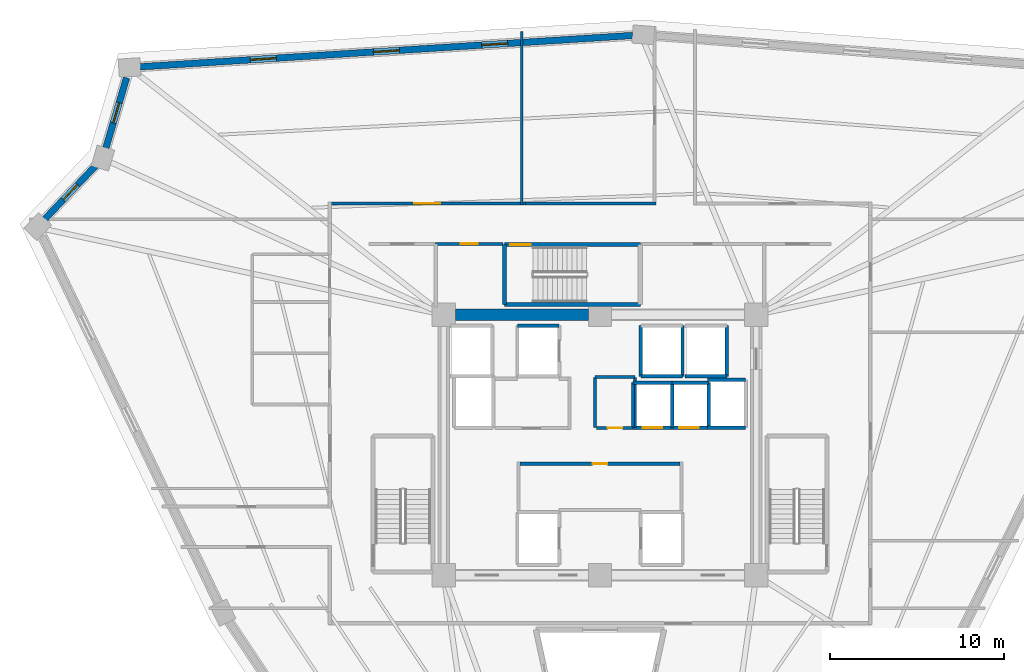
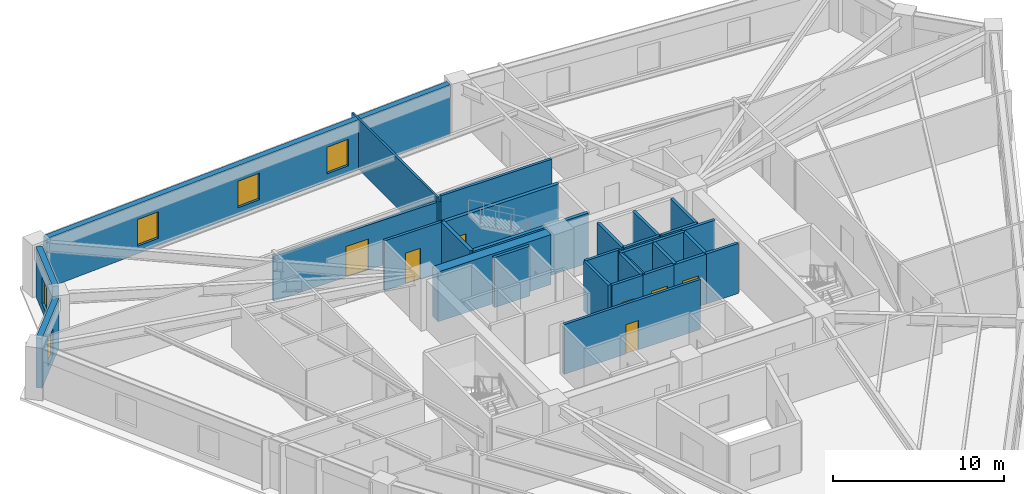
# One storey, part 5 of 8: 31 walls, 7 doors, 5 windows, 12 openings.
"""IFC4 building model written with IfcOpenShell, lengths in metres."""

from ifc_helpers import new_model, si_unit, direction, frame, frame_2d, origin, place, context, subcontext, project, spatial, rectangle, extrude, source, transform, mapped, material, layer, layer_set, type_object, element, fill, save


model = new_model("IFC4")

# Units and contexts
model_context = context("Model", 3, precision=1e-05, world=origin(), true_north=direction((0.0, 1.0)))
body_context = subcontext(model_context, "Body", "Model", "MODEL_VIEW")
ifc_project = project(units=[si_unit("LENGTHUNIT", "METRE"), si_unit("AREAUNIT", "SQUARE_METRE"), si_unit("VOLUMEUNIT", "CUBIC_METRE"), si_unit("PLANEANGLEUNIT", "RADIAN"), si_unit("MASSUNIT", "GRAM", prefix="KILO")], contexts=[model_context])

# Site, building, storey
site_placement = place(None, origin())
site = spatial("IfcSite", under=ifc_project, at=site_placement, CompositionType="ELEMENT")
building_placement = place(site_placement, origin())
building = spatial("IfcBuilding", under=site, at=building_placement, Name="Liaohun Quay Tower", CompositionType="ELEMENT")
storey_placement = place(building_placement, frame((0.0, 0.0, 243.75)))
storey = spatial("IfcBuildingStorey", under=building, at=storey_placement, Name="L63", CompositionType="ELEMENT", Elevation=243.75)

# Wall
ifc_material_1 = material(Name="Concrete C55", Category="concrete")
ifc_layer_1 = layer(ifc_material_1, 0.64990234375, Name="Concrete C55", Category="concrete")
ifc_layer_set_1 = layer_set([ifc_layer_1], Name="Concrete C55")
wall_type_1 = type_object("IfcWallType", Name="WAL-COR-Z3", PredefinedType="SHEAR", material=ifc_layer_set_1)
wall_1_placement = place(storey_placement, frame((51.675048828125, 61.5, 0.0), z_axis=(0.0, 0.0, 1.0), x_axis=(1.0, 0.0, 0.0)))
element("IfcWall", 1, at=wall_1_placement, inside=storey, type_object=wall_type_1, Name="L63 Central Core Shear Wall N-W", PredefinedType="SHEAR", context=body_context, shape_type="SweptSolid", body=[
    extrude(rectangle(XDim=7.64990234375, YDim=0.64990234375, at=frame_2d((3.824951171875, 0.0))), origin(), (0.0, 0.0, 1.0), 3.570068359375),
])

# Wall, openings, windows
ifc_material_2 = material(Name="Precast concrete C50 insulated sandwich", Category="concrete")
ifc_layer_2 = layer(ifc_material_2, 0.3798828125, Name="Precast concrete C50 insulated sandwich", Category="concrete")
ifc_layer_set_2 = layer_set([ifc_layer_2], Name="Precast concrete C50 insulated sandwich")
wall_type_2 = type_object("IfcWallType", Name="WAL-EXT-Z34", PredefinedType="SOLIDWALL", material=ifc_layer_set_2)
wall_2_placement = place(storey_placement, frame((61.876953125, 77.5810546875, 0.0), z_axis=(0.0, 0.0, 1.0), x_axis=(-0.997981063215, -0.063512183593, 0.0)))
wall_2 = element("IfcWall", 2, at=wall_2_placement, inside=storey, type_object=wall_type_2, Name="L63 Brutalist Precast Pier Wall 07", PredefinedType="SOLIDWALL", context=body_context, shape_type="SweptSolid", body=[
    extrude(rectangle(XDim=28.4033203125, YDim=0.3798828125, at=frame_2d((14.20166015625, 0.0))), origin(), (0.0, 0.0, 1.0), 3.570068359375),
])
shared_shape_1 = source(origin(), body_context, "Body", "SweptSolid", [
    extrude(rectangle(XDim=1.5, YDim=1.89990234375, at=frame_2d((0.75, 0.949951171875))), frame((0.0, 0.199951171875, 0.0), z_axis=(0.0, -1.0, 0.0), x_axis=(1.0, 0.0, 0.0)), (0.0, 0.0, 1.0), 0.39990234375),
])
opening_1_placement = place(wall_2_placement, frame((7.200927734375, 0.0, 0.550048828125)))
opening_1 = element("IfcOpeningElement", 3, at=opening_1_placement, cuts=wall_2, Name="Opening W03", PredefinedType="OPENING", context=body_context, shape_type="MappedRepresentation", body=[
    mapped(shared_shape_1, transform((0.0, 0.0, 0.0), x_axis=(1.0, 0.0, 0.0), y_axis=(0.0, 1.0, 0.0), z_axis=(0.0, 0.0, 1.0), scale=1.0)),
])
opening_2_placement = place(wall_2_placement, frame((13.451904296875, 0.0, 0.550048828125)))
opening_2 = element("IfcOpeningElement", 4, at=opening_2_placement, cuts=wall_2, Name="Opening W03", PredefinedType="OPENING", context=body_context, shape_type="MappedRepresentation", body=[
    mapped(shared_shape_1, transform((0.0, 0.0, 0.0), x_axis=(1.0, 0.0, 0.0), y_axis=(0.0, 1.0, 0.0), z_axis=(0.0, 0.0, 1.0), scale=1.0)),
])
opening_3_placement = place(wall_2_placement, frame((20.552978515625, 0.0, 0.550048828125)))
opening_3 = element("IfcOpeningElement", 5, at=opening_3_placement, cuts=wall_2, Name="Opening W03", PredefinedType="OPENING", context=body_context, shape_type="MappedRepresentation", body=[
    mapped(shared_shape_1, transform((0.0, 0.0, 0.0), x_axis=(1.0, 0.0, 0.0), y_axis=(0.0, 1.0, 0.0), z_axis=(0.0, 0.0, 1.0), scale=1.0)),
])
ifc_material_3 = material(Name="Triple Low-E argon glazing in thermally broken aluminium", Category="aluminium")
window_type_1 = type_object("IfcWindowType", Name="WIN-PUN-Z3", PartitioningType="DOUBLE_PANEL_VERTICAL", PredefinedType="WINDOW", material=ifc_material_3)
shared_shape_2 = source(origin(), body_context, "Body", "SweptSolid", [
    extrude(rectangle(XDim=1.5, YDim=1.89990234375, at=frame_2d((0.75, 0.949951171875))), frame((0.0, 0.030029296875, 0.0), z_axis=(0.0, -1.0, 0.0), x_axis=(1.0, 0.0, 0.0)), (0.0, 0.0, 1.0), 0.06005859375),
])
window_1_placement = place(opening_1_placement, origin())
window_1 = element("IfcWindow", 6, at=window_1_placement, inside=storey, type_object=window_type_1, Name="L63 Recessed Cold-Climate Punched Window 07-1", OverallHeight=1.89990234375, OverallWidth=1.5, PartitioningType="DOUBLE_PANEL_VERTICAL", PredefinedType="WINDOW", context=body_context, shape_type="MappedRepresentation", body=[
    mapped(shared_shape_2, transform((0.0, 0.0, 0.0), x_axis=(1.0, 0.0, 0.0), y_axis=(0.0, 1.0, 0.0), z_axis=(0.0, 0.0, 1.0), scale=1.0)),
])
fill(opening_1, window_1)
window_2_placement = place(opening_2_placement, origin())
window_2 = element("IfcWindow", 7, at=window_2_placement, inside=storey, type_object=window_type_1, Name="L63 Recessed Cold-Climate Punched Window 07-2", OverallHeight=1.89990234375, OverallWidth=1.5, PartitioningType="DOUBLE_PANEL_VERTICAL", PredefinedType="WINDOW", context=body_context, shape_type="MappedRepresentation", body=[
    mapped(shared_shape_2, transform((0.0, 0.0, 0.0), x_axis=(1.0, 0.0, 0.0), y_axis=(0.0, 1.0, 0.0), z_axis=(0.0, 0.0, 1.0), scale=1.0)),
])
fill(opening_2, window_2)
window_3_placement = place(opening_3_placement, origin())
window_3 = element("IfcWindow", 8, at=window_3_placement, inside=storey, type_object=window_type_1, Name="L63 Recessed Cold-Climate Punched Window 07-3", OverallHeight=1.89990234375, OverallWidth=1.5, PartitioningType="DOUBLE_PANEL_VERTICAL", PredefinedType="WINDOW", context=body_context, shape_type="MappedRepresentation", body=[
    mapped(shared_shape_2, transform((0.0, 0.0, 0.0), x_axis=(1.0, 0.0, 0.0), y_axis=(0.0, 1.0, 0.0), z_axis=(0.0, 0.0, 1.0), scale=1.0)),
])
fill(opening_3, window_3)

# Wall, opening, window
wall_3_placement = place(storey_placement, frame((32.742919921875, 75.14794921875, 0.0), z_axis=(0.0, 0.0, 1.0), x_axis=(-0.282502627228, -0.959266524804, 0.0)))
wall_3 = element("IfcWall", 9, at=wall_3_placement, inside=storey, type_object=wall_type_2, Name="L63 Brutalist Precast Pier Wall 08", PredefinedType="SOLIDWALL", context=body_context, shape_type="SweptSolid", body=[
    extrude(rectangle(XDim=4.205322265625, YDim=0.3798828125, at=frame_2d((2.1025390625, 0.0))), origin(), (0.0, 0.0, 1.0), 3.570068359375),
])
shared_shape_3 = source(origin(), body_context, "Body", "SweptSolid", [
    extrude(rectangle(XDim=1.199951171875, YDim=1.89990234375, at=frame_2d((0.60009765625, 0.949951171875))), frame((0.0, 0.199951171875, 0.0), z_axis=(0.0, -1.0, 0.0), x_axis=(1.0, 0.0, 0.0)), (0.0, 0.0, 1.0), 0.39990234375),
])
opening_4_placement = place(wall_3_placement, frame((1.5029296875, 0.0, 0.550048828125)))
opening_4 = element("IfcOpeningElement", 10, at=opening_4_placement, cuts=wall_3, Name="Opening W05", PredefinedType="OPENING", context=body_context, shape_type="MappedRepresentation", body=[
    mapped(shared_shape_3, transform((0.0, 0.0, 0.0), x_axis=(1.0, 0.0, 0.0), y_axis=(0.0, 1.0, 0.0), z_axis=(0.0, 0.0, 1.0), scale=1.0)),
])
ifc_material_4 = material(Name="Triple Low-E corner notch glazing", Category="glass")
window_type_2 = type_object("IfcWindowType", Name="WIN-NOTCH", PartitioningType="SINGLE_PANEL", PredefinedType="WINDOW", material=ifc_material_4)
shared_shape_4 = source(origin(), body_context, "Body", "SweptSolid", [
    extrude(rectangle(XDim=1.199951171875, YDim=1.89990234375, at=frame_2d((0.60009765625, 0.949951171875))), frame((0.0, 0.030029296875, 0.0), z_axis=(0.0, -1.0, 0.0), x_axis=(1.0, 0.0, 0.0)), (0.0, 0.0, 1.0), 0.06005859375),
])
window_4_placement = place(opening_4_placement, origin())
window_4 = element("IfcWindow", 11, at=window_4_placement, inside=storey, type_object=window_type_2, Name="L63 Corner Notch Window W05-08", OverallHeight=1.89990234375, OverallWidth=1.199951171875, PartitioningType="SINGLE_PANEL", PredefinedType="WINDOW", context=body_context, shape_type="MappedRepresentation", body=[
    mapped(shared_shape_4, transform((0.0, 0.0, 0.0), x_axis=(1.0, 0.0, 0.0), y_axis=(0.0, 1.0, 0.0), z_axis=(0.0, 0.0, 1.0), scale=1.0)),
])
fill(opening_4, window_4)

wall_4_placement = place(storey_placement, frame((30.95703125, 70.077880859375, 0.0), z_axis=(0.0, 0.0, 1.0), x_axis=(-0.689456996348, -0.724326618444, 0.0)))
wall_4 = element("IfcWall", 12, at=wall_4_placement, inside=storey, type_object=wall_type_2, Name="L63 Brutalist Precast Pier Wall 09", PredefinedType="SOLIDWALL", context=body_context, shape_type="SweptSolid", body=[
    extrude(rectangle(XDim=4.21484375, YDim=0.3798828125, at=frame_2d((2.107421875, 0.0))), origin(), (0.0, 0.0, 1.0), 3.570068359375),
])
opening_5_placement = place(wall_4_placement, frame((1.507080078125, 0.0, 0.550048828125)))
opening_5 = element("IfcOpeningElement", 13, at=opening_5_placement, cuts=wall_4, Name="Opening W05", PredefinedType="OPENING", context=body_context, shape_type="MappedRepresentation", body=[
    mapped(shared_shape_3, transform((0.0, 0.0, 0.0), x_axis=(1.0, 0.0, 0.0), y_axis=(0.0, 1.0, 0.0), z_axis=(0.0, 0.0, 1.0), scale=1.0)),
])
window_5_placement = place(opening_5_placement, origin())
window_5 = element("IfcWindow", 14, at=window_5_placement, inside=storey, type_object=window_type_2, Name="L63 Corner Notch Window W05-09", OverallHeight=1.89990234375, OverallWidth=1.199951171875, PartitioningType="SINGLE_PANEL", PredefinedType="WINDOW", context=body_context, shape_type="MappedRepresentation", body=[
    mapped(shared_shape_4, transform((0.0, 0.0, 0.0), x_axis=(1.0, 0.0, 0.0), y_axis=(0.0, 1.0, 0.0), z_axis=(0.0, 0.0, 1.0), scale=1.0)),
])
fill(opening_5, window_5)

# Wall, opening, door
ifc_material_5 = material(Name="Autoclaved aerated concrete blockwork", Category="masonry")
ifc_layer_3 = layer(ifc_material_5, 0.179931640625, Name="Autoclaved aerated concrete blockwork", Category="masonry")
ifc_layer_set_3 = layer_set([ifc_layer_3], Name="Autoclaved aerated concrete blockwork")
wall_type_3 = type_object("IfcWallType", Name="WAL-PRT-COR", PredefinedType="PARTITIONING", material=ifc_layer_set_3)
wall_5_placement = place(storey_placement, frame((55.389892578125, 52.919921875, 0.0), z_axis=(0.0, 0.0, 1.0), x_axis=(1.0, 0.0, 0.0)))
wall_5 = element("IfcWall", 15, at=wall_5_placement, inside=storey, type_object=wall_type_3, Name="L63 Interior Partition Wall 001", PredefinedType="PARTITIONING", context=body_context, shape_type="SweptSolid", body=[
    extrude(rectangle(XDim=9.22021484375, YDim=0.179931640625, at=frame_2d((4.610107421875, 0.0))), origin(), (0.0, 0.0, 1.0), 3.570068359375),
])
shared_shape_5 = source(origin(), body_context, "Body", "SweptSolid", [
    extrude(rectangle(XDim=0.85009765625, YDim=2.10009765625, at=frame_2d((0.425048828125, 1.050048828125))), frame((0.0, 0.099853515625, 0.0), z_axis=(0.0, -1.0, 0.0), x_axis=(1.0, 0.0, 0.0)), (0.0, 0.0, 1.0), 0.199951171875),
])
opening_6_placement = place(wall_5_placement, frame((4.18505859375, 0.0, 0.0)))
opening_6 = element("IfcOpeningElement", 16, at=opening_6_placement, cuts=wall_5, Name="Opening AD1", PredefinedType="OPENING", context=body_context, shape_type="MappedRepresentation", body=[
    mapped(shared_shape_5, transform((0.0, 0.0, 0.0), x_axis=(1.0, 0.0, 0.0), y_axis=(0.0, 1.0, 0.0), z_axis=(0.0, 0.0, 1.0), scale=1.0)),
])
ifc_material_6 = material(Name="Steel riser inspection fire door", Category="steel")
door_type_1 = type_object("IfcDoorType", Name="DOR-SHF-850", OperationType="NOTDEFINED", PredefinedType="DOOR", material=ifc_material_6)
shared_shape_6 = source(origin(), body_context, "Body", "SweptSolid", [
    extrude(rectangle(XDim=0.85009765625, YDim=2.10009765625, at=frame_2d((0.425048828125, 1.050048828125))), frame((0.0, 0.02490234375, 0.0), z_axis=(0.0, -1.0, 0.0), x_axis=(1.0, 0.0, 0.0)), (0.0, 0.0, 1.0), 0.050048828125),
])
door_1_placement = place(opening_6_placement, origin())
door_1 = element("IfcDoor", 17, at=door_1_placement, inside=storey, type_object=door_type_1, Name="L63 Core Tenant Storage and Archive Room Door", OperationType="SINGLE_SWING_LEFT", OverallHeight=2.10009765625, OverallWidth=0.85009765625, PredefinedType="DOOR", context=body_context, shape_type="MappedRepresentation", body=[
    mapped(shared_shape_6, transform((0.0, 0.0, 0.0), x_axis=(1.0, 0.0, 0.0), y_axis=(0.0, 1.0, 0.0), z_axis=(0.0, 0.0, 1.0), scale=1.0)),
])
fill(opening_6, door_1)

wall_6_placement = place(storey_placement, frame((59.81005859375, 54.97998046875, 0.0), z_axis=(0.0, 0.0, 1.0), x_axis=(1.0, 0.0, 0.0)))
wall_6 = element("IfcWall", 18, at=wall_6_placement, inside=storey, type_object=wall_type_3, Name="L63 Interior Partition Wall 003", PredefinedType="PARTITIONING", context=body_context, shape_type="SweptSolid", body=[
    extrude(rectangle(XDim=2.08984375, YDim=0.179931640625, at=frame_2d((1.044921875, 0.0))), origin(), (0.0, 0.0, 1.0), 3.570068359375),
])
opening_7_placement = place(wall_6_placement, frame((0.635009765625, 0.0, 0.0)))
opening_7 = element("IfcOpeningElement", 19, at=opening_7_placement, cuts=wall_6, Name="Opening AD1", PredefinedType="OPENING", context=body_context, shape_type="MappedRepresentation", body=[
    mapped(shared_shape_5, transform((0.0, 0.0, 0.0), x_axis=(1.0, 0.0, 0.0), y_axis=(0.0, 1.0, 0.0), z_axis=(0.0, 0.0, 1.0), scale=1.0)),
])
door_2_placement = place(opening_7_placement, origin())
door_2 = element("IfcDoor", 20, at=door_2_placement, inside=storey, type_object=door_type_1, Name="L63 Core Electrical and Telecom Riser Room Door", OperationType="SINGLE_SWING_LEFT", OverallHeight=2.10009765625, OverallWidth=0.85009765625, PredefinedType="DOOR", context=body_context, shape_type="MappedRepresentation", body=[
    mapped(shared_shape_6, transform((0.0, 0.0, 0.0), x_axis=(1.0, 0.0, 0.0), y_axis=(0.0, 1.0, 0.0), z_axis=(0.0, 0.0, 1.0), scale=1.0)),
])
fill(opening_7, door_2)

wall_7_placement = place(storey_placement, frame((50.5400390625, 65.580078125, 0.0), z_axis=(0.0, 0.0, 1.0), x_axis=(1.0, 0.0, 0.0)))
wall_7 = element("IfcWall", 21, at=wall_7_placement, inside=storey, type_object=wall_type_3, Name="L63 Interior Partition Wall 007", PredefinedType="PARTITIONING", context=body_context, shape_type="SweptSolid", body=[
    extrude(rectangle(XDim=3.869873046875, YDim=0.179931640625, at=frame_2d((1.93505859375, 0.0))), origin(), (0.0, 0.0, 1.0), 3.570068359375),
])
shared_shape_7 = source(origin(), body_context, "Body", "SweptSolid", [
    extrude(rectangle(XDim=1.0, YDim=2.199951171875, at=frame_2d((0.5, 1.10009765625))), frame((0.0, 0.099853515625, 0.0), z_axis=(0.0, -1.0, 0.0), x_axis=(1.0, 0.0, 0.0)), (0.0, 0.0, 1.0), 0.199951171875),
])
opening_8_placement = place(wall_7_placement, frame((1.43505859375, 0.0, 0.0)))
opening_8 = element("IfcOpeningElement", 22, at=opening_8_placement, cuts=wall_7, Name="Opening OD1", PredefinedType="OPENING", context=body_context, shape_type="MappedRepresentation", body=[
    mapped(shared_shape_7, transform((0.0, 0.0, 0.0), x_axis=(1.0, 0.0, 0.0), y_axis=(0.0, 1.0, 0.0), z_axis=(0.0, 0.0, 1.0), scale=1.0)),
])
ifc_material_7 = material(Name="Solid-core oak veneer timber leaf in steel frame", Category="steel")
door_type_2 = type_object("IfcDoorType", Name="DOR-OFF-1000", OperationType="NOTDEFINED", PredefinedType="DOOR", material=ifc_material_7)
shared_shape_8 = source(origin(), body_context, "Body", "SweptSolid", [
    extrude(rectangle(XDim=1.0, YDim=2.199951171875, at=frame_2d((0.5, 1.10009765625))), frame((0.0, 0.02490234375, 0.0), z_axis=(0.0, -1.0, 0.0), x_axis=(1.0, 0.0, 0.0)), (0.0, 0.0, 1.0), 0.050048828125),
])
door_3_placement = place(opening_8_placement, origin())
door_3 = element("IfcDoor", 23, at=door_3_placement, inside=storey, type_object=door_type_2, Name="L63 North-West Print and Telecom Room Door", OperationType="SINGLE_SWING_LEFT", OverallHeight=2.199951171875, OverallWidth=1.0, PredefinedType="DOOR", context=body_context, shape_type="MappedRepresentation", body=[
    mapped(shared_shape_8, transform((0.0, 0.0, 0.0), x_axis=(1.0, 0.0, 0.0), y_axis=(0.0, 1.0, 0.0), z_axis=(0.0, 0.0, 1.0), scale=1.0)),
])
fill(opening_8, door_3)

wall_8_placement = place(storey_placement, frame((44.3701171875, 67.909912109375, 0.0), z_axis=(0.0, 0.0, 1.0), x_axis=(1.0, 0.0, 0.0)))
wall_8 = element("IfcWall", 24, at=wall_8_placement, inside=storey, type_object=wall_type_3, Name="L63 Interior Partition Wall 015", PredefinedType="PARTITIONING", context=body_context, shape_type="SweptSolid", body=[
    extrude(rectangle(XDim=11.344970703125, YDim=0.179931640625, at=frame_2d((5.67236328125, 0.0))), origin(), (0.0, 0.0, 1.0), 3.205078125),
])
shared_shape_9 = source(origin(), body_context, "Body", "SweptSolid", [
    extrude(rectangle(XDim=1.5, YDim=2.199951171875, at=frame_2d((0.75, 1.10009765625))), frame((0.0, 0.099853515625, 0.0), z_axis=(0.0, -1.0, 0.0), x_axis=(1.0, 0.0, 0.0)), (0.0, 0.0, 1.0), 0.199951171875),
])
opening_9_placement = place(wall_8_placement, frame((4.923095703125, 0.0, 0.0)))
opening_9 = element("IfcOpeningElement", 25, at=opening_9_placement, cuts=wall_8, Name="Opening OD2", PredefinedType="OPENING", context=body_context, shape_type="MappedRepresentation", body=[
    mapped(shared_shape_9, transform((0.0, 0.0, 0.0), x_axis=(1.0, 0.0, 0.0), y_axis=(0.0, 1.0, 0.0), z_axis=(0.0, 0.0, 1.0), scale=1.0)),
])
ifc_material_8 = material(Name="Acoustic oak veneer double door")
door_type_3 = type_object("IfcDoorType", Name="DOR-OFF-1500", OperationType="DOUBLE_DOOR_SINGLE_SWING", PredefinedType="DOOR", material=ifc_material_8)
shared_shape_10 = source(origin(), body_context, "Body", "SweptSolid", [
    extrude(rectangle(XDim=1.5, YDim=2.199951171875, at=frame_2d((0.75, 1.10009765625))), frame((0.0, 0.02490234375, 0.0), z_axis=(0.0, -1.0, 0.0), x_axis=(1.0, 0.0, 0.0)), (0.0, 0.0, 1.0), 0.050048828125),
])
door_4_placement = place(opening_9_placement, origin())
door_4 = element("IfcDoor", 26, at=door_4_placement, inside=storey, type_object=door_type_3, Name="L63 Engineering Model Workshop 05 Door", OperationType="DOUBLE_DOOR_SINGLE_SWING", OverallHeight=2.199951171875, OverallWidth=1.5, PredefinedType="DOOR", context=body_context, shape_type="MappedRepresentation", body=[
    mapped(shared_shape_10, transform((0.0, 0.0, 0.0), x_axis=(1.0, 0.0, 0.0), y_axis=(0.0, 1.0, 0.0), z_axis=(0.0, 0.0, 1.0), scale=1.0)),
])
fill(opening_9, door_4)

# Walls
for number, where, z_axis, x_axis, name in (
    (27, (59.719970703125, 55.02001953125, 0.0), (0.0, 0.0, 1.0), (0.0, 1.0, 0.0), "L63 Interior Partition Wall 021"),
    (28, (62.010009765625, 55.02001953125, 0.0), (0.0, 0.0, 1.0), (0.0, 1.0, 0.0), "L63 Interior Partition Wall 022"),
):
    element("IfcWall", number, at=place(storey_placement, frame(where, z_axis=z_axis, x_axis=x_axis)), inside=storey, type_object=wall_type_3, Name=name, PredefinedType="PARTITIONING", context=body_context, shape_type="SweptSolid", body=[
        extrude(rectangle(XDim=2.8798828125, YDim=0.179931640625, at=frame_2d((1.43994140625, 0.0))), origin(), (0.0, 0.0, 1.0), 3.570068359375),
    ])
wall_9_placement = place(storey_placement, frame((59.719970703125, 57.919921875, 0.0), z_axis=(0.0, 0.0, 1.0), x_axis=(1.0, 0.0, 0.0)))
element("IfcWall", 29, at=wall_9_placement, inside=storey, type_object=wall_type_3, Name="L63 Interior Partition Wall 023", PredefinedType="PARTITIONING", context=body_context, shape_type="SweptSolid", body=[
    extrude(rectangle(XDim=2.2900390625, YDim=0.179931640625, at=frame_2d((1.14501953125, 0.0))), origin(), (0.0, 0.0, 1.0), 3.570068359375),
])
wall_10_placement = place(storey_placement, frame((55.715087890625, 67.909912109375, 0.0), z_axis=(0.0, 0.0, 1.0), x_axis=(1.0, 0.0, 0.0)))
element("IfcWall", 30, at=wall_10_placement, inside=storey, type_object=wall_type_3, Name="L63 Interior Partition Wall 033", PredefinedType="PARTITIONING", context=body_context, shape_type="SweptSolid", body=[
    extrude(rectangle(XDim=7.494873046875, YDim=0.179931640625, at=frame_2d((3.74755859375, 0.0))), origin(), (0.0, 0.0, 1.0), 3.570068359375),
])
ifc_material_9 = material(Name="Gypsum board on twin steel studs", Category="steel")
ifc_layer_4 = layer(ifc_material_9, 0.139892578125, Name="Gypsum board on twin steel studs", Category="steel")
ifc_layer_set_4 = layer_set([ifc_layer_4], Name="Gypsum board on twin steel studs")
wall_type_4 = type_object("IfcWallType", Name="WAL-PRT-OFF", PredefinedType="PARTITIONING", material=ifc_layer_set_4)
wall_11_placement = place(storey_placement, frame((55.5, 67.81005859375, 0.0), z_axis=(0.0, 0.0, 1.0), x_axis=(0.0, 1.0, 0.0)))
element("IfcWall", 31, at=wall_11_placement, inside=storey, type_object=wall_type_4, Name="L63 Interior Partition Wall 047", PredefinedType="PARTITIONING", context=body_context, shape_type="SweptSolid", body=[
    extrude(rectangle(XDim=9.995849609375, YDim=0.139892578125, at=frame_2d((4.998046875, 0.0))), origin(), (0.0, 0.0, 1.0), 3.570068359375),
])
ifc_material_10 = material(Name="Concrete C50", Category="concrete")
ifc_layer_5 = layer(ifc_material_10, 0.239990234375, Name="Concrete C50", Category="concrete")
ifc_layer_set_5 = layer_set([ifc_layer_5], Name="Concrete C50")
wall_type_5 = type_object("IfcWallType", Name="WAL-SHF-200", PredefinedType="SOLIDWALL", material=ifc_layer_set_5)
wall_12_placement = place(storey_placement, frame((54.5, 62.10009765625, 0.0), z_axis=(0.0, 0.0, 1.0), x_axis=(1.0, 0.0, 0.0)))
element("IfcWall", 32, at=wall_12_placement, inside=storey, type_object=wall_type_5, Name="L63 Stairwell ST-3 Structural Core Wall S", PredefinedType="SOLIDWALL", context=body_context, shape_type="SweptSolid", body=[
    extrude(rectangle(XDim=7.820068359375, YDim=0.239990234375, at=frame_2d((3.91015625, 0.0))), origin(), (0.0, 0.0, 1.0), 3.570068359375),
])

# Wall, opening, door
wall_13_placement = place(storey_placement, frame((62.320068359375, 65.5400390625, 0.0), z_axis=(0.0, 0.0, 1.0), x_axis=(-1.0, 0.0, 0.0)))
wall_13 = element("IfcWall", 33, at=wall_13_placement, inside=storey, type_object=wall_type_5, Name="L63 Stairwell ST-3 Structural Core Wall N", PredefinedType="SOLIDWALL", context=body_context, shape_type="SweptSolid", body=[
    extrude(rectangle(XDim=7.820068359375, YDim=0.239990234375, at=frame_2d((3.91015625, 0.0))), origin(), (0.0, 0.0, 1.0), 3.570068359375),
])
shared_shape_11 = source(origin(), body_context, "Body", "SweptSolid", [
    extrude(rectangle(XDim=1.199951171875, YDim=2.199951171875, at=frame_2d((0.60009765625, 1.10009765625))), frame((0.0, 0.1298828125, 0.0), z_axis=(0.0, -1.0, 0.0), x_axis=(1.0, 0.0, 0.0)), (0.0, 0.0, 1.0), 0.260009765625),
])
opening_10_placement = place(wall_13_placement, frame((6.300048828125, 0.0, 0.0)))
opening_10 = element("IfcOpeningElement", 34, at=opening_10_placement, cuts=wall_13, Name="Opening SD1", PredefinedType="OPENING", context=body_context, shape_type="MappedRepresentation", body=[
    mapped(shared_shape_11, transform((0.0, 0.0, 0.0), x_axis=(1.0, 0.0, 0.0), y_axis=(0.0, 1.0, 0.0), z_axis=(0.0, 0.0, 1.0), scale=1.0)),
])
ifc_material_11 = material(Name="Galvanised steel fire door", Category="steel")
door_type_4 = type_object("IfcDoorType", Name="DOR-STR-1200", OperationType="NOTDEFINED", PredefinedType="DOOR", material=ifc_material_11)
shared_shape_12 = source(origin(), body_context, "Body", "SweptSolid", [
    extrude(rectangle(XDim=1.199951171875, YDim=2.199951171875, at=frame_2d((0.60009765625, 1.10009765625))), frame((0.0, 0.02490234375, 0.0), z_axis=(0.0, -1.0, 0.0), x_axis=(1.0, 0.0, 0.0)), (0.0, 0.0, 1.0), 0.050048828125),
])
door_5_placement = place(opening_10_placement, origin())
door_5 = element("IfcDoor", 35, at=door_5_placement, inside=storey, type_object=door_type_4, Name="L63 Protected Stair ST-3 Fire Door", OperationType="SINGLE_SWING_RIGHT", OverallHeight=2.199951171875, OverallWidth=1.199951171875, PredefinedType="DOOR", context=body_context, shape_type="MappedRepresentation", body=[
    mapped(shared_shape_12, transform((0.0, 0.0, 0.0), x_axis=(1.0, 0.0, 0.0), y_axis=(0.0, 1.0, 0.0), z_axis=(0.0, 0.0, 1.0), scale=1.0)),
])
fill(opening_10, door_5)

# Walls
wall_14_placement = place(storey_placement, frame((54.5, 65.5400390625, 0.0), z_axis=(0.0, 0.0, 1.0), x_axis=(0.0, -1.0, 0.0)))
element("IfcWall", 36, at=wall_14_placement, inside=storey, type_object=wall_type_5, Name="L63 Stairwell ST-3 Structural Core Wall W", PredefinedType="SOLIDWALL", context=body_context, shape_type="SweptSolid", body=[
    extrude(rectangle(XDim=3.43994140625, YDim=0.239990234375, at=frame_2d((1.719970703125, 0.0))), origin(), (0.0, 0.0, 1.0), 3.570068359375),
])
for number, where, z_axis, x_axis, name in (
    (37, (57.64990234375, 60.8798828125, 0.0), (0.0, 0.0, 1.0), (-1.0, 0.0, 0.0), "L63 Lift FF-03 Hoistway Wall N"),
    (38, (62.35009765625, 57.949951171875, 0.0), (0.0, 0.0, 1.0), (1.0, 0.0, 0.0), "L63 Lift OB-01 Hoistway Wall S"),
):
    element("IfcWall", number, at=place(storey_placement, frame(where, z_axis=z_axis, x_axis=x_axis)), inside=storey, type_object=wall_type_5, Name=name, PredefinedType="SOLIDWALL", context=body_context, shape_type="SweptSolid", body=[
        extrude(rectangle(XDim=2.39990234375, YDim=0.199951171875, at=frame_2d((1.199951171875, 0.0))), origin(), (0.0, 0.0, 1.0), 3.570068359375),
    ])
for number, where, z_axis, x_axis, name in (
    (39, (64.75, 57.949951171875, 0.0), (0.0, 0.0, 1.0), (0.0, 1.0, 0.0), "L63 Lift OB-01 Hoistway Wall E"),
    (40, (62.35009765625, 60.8798828125, 0.0), (0.0, 0.0, 1.0), (0.0, -1.0, 0.0), "L63 Lift OB-01 Hoistway Wall W"),
):
    element("IfcWall", number, at=place(storey_placement, frame(where, z_axis=z_axis, x_axis=x_axis)), inside=storey, type_object=wall_type_5, Name=name, PredefinedType="SOLIDWALL", context=body_context, shape_type="SweptSolid", body=[
        extrude(rectangle(XDim=2.929931640625, YDim=0.199951171875, at=frame_2d((1.46484375, 0.0))), origin(), (0.0, 0.0, 1.0), 3.570068359375),
    ])
wall_15_placement = place(storey_placement, frame((64.89990234375, 57.949951171875, 0.0), z_axis=(0.0, 0.0, 1.0), x_axis=(1.0, 0.0, 0.0)))
element("IfcWall", 41, at=wall_15_placement, inside=storey, type_object=wall_type_5, Name="L63 Lift OB-02 Hoistway Wall S", PredefinedType="SOLIDWALL", context=body_context, shape_type="SweptSolid", body=[
    extrude(rectangle(XDim=2.400146484375, YDim=0.199951171875, at=frame_2d((1.2001953125, 0.0))), origin(), (0.0, 0.0, 1.0), 3.570068359375),
])
wall_16_placement = place(storey_placement, frame((67.300048828125, 57.949951171875, 0.0), z_axis=(0.0, 0.0, 1.0), x_axis=(0.0, 1.0, 0.0)))
element("IfcWall", 42, at=wall_16_placement, inside=storey, type_object=wall_type_5, Name="L63 Lift OB-02 Hoistway Wall E", PredefinedType="SOLIDWALL", context=body_context, shape_type="SweptSolid", body=[
    extrude(rectangle(XDim=2.929931640625, YDim=0.199951171875, at=frame_2d((1.46484375, 0.0))), origin(), (0.0, 0.0, 1.0), 3.570068359375),
])
for number, where, z_axis, x_axis, name in (
    (43, (66.199951171875, 55.0, 0.0), (0.0, 0.0, 1.0), (1.0, 0.0, 0.0), "L63 Lift SH-03 Hoistway Wall S"),
    (44, (68.3798828125, 57.75, 0.0), (0.0, 0.0, 1.0), (-1.0, 0.0, 0.0), "L63 Lift SH-03 Hoistway Wall N"),
):
    element("IfcWall", number, at=place(storey_placement, frame(where, z_axis=z_axis, x_axis=x_axis)), inside=storey, type_object=wall_type_5, Name=name, PredefinedType="SOLIDWALL", context=body_context, shape_type="SweptSolid", body=[
        extrude(rectangle(XDim=2.179931640625, YDim=0.199951171875, at=frame_2d((1.08984375, 0.0))), origin(), (0.0, 0.0, 1.0), 3.570068359375),
    ])

# Wall, opening, door
wall_17_placement = place(storey_placement, frame((61.89990234375, 55.0, 0.0), z_axis=(0.0, 0.0, 1.0), x_axis=(1.0, 0.0, 0.0)))
wall_17 = element("IfcWall", 45, at=wall_17_placement, inside=storey, type_object=wall_type_5, Name="L63 Lift PL-3A Hoistway Wall S", PredefinedType="SOLIDWALL", context=body_context, shape_type="SweptSolid", body=[
    extrude(rectangle(XDim=2.25, YDim=0.199951171875, at=frame_2d((1.125, 0.0))), origin(), (0.0, 0.0, 1.0), 3.570068359375),
])
shared_shape_13 = source(origin(), body_context, "Body", "SweptSolid", [
    extrude(rectangle(XDim=1.10009765625, YDim=2.199951171875, at=frame_2d((0.550048828125, 1.10009765625))), frame((0.0, 0.10986328125, 0.0), z_axis=(0.0, -1.0, 0.0), x_axis=(1.0, 0.0, 0.0)), (0.0, 0.0, 1.0), 0.219970703125),
])
opening_11_placement = place(wall_17_placement, frame((0.574951171875, 0.0, 0.0)))
opening_11 = element("IfcOpeningElement", 46, at=opening_11_placement, cuts=wall_17, Name="Opening LD1", PredefinedType="OPENING", context=body_context, shape_type="MappedRepresentation", body=[
    mapped(shared_shape_13, transform((0.0, 0.0, 0.0), x_axis=(1.0, 0.0, 0.0), y_axis=(0.0, 1.0, 0.0), z_axis=(0.0, 0.0, 1.0), scale=1.0)),
])
ifc_material_12 = material(Name="Brushed stainless steel landing door", Category="steel")
door_type_5 = type_object("IfcDoorType", Name="DOR-LFT-1100", OperationType="SLIDING_TO_LEFT", PredefinedType="DOOR", material=ifc_material_12)
shared_shape_14 = source(origin(), body_context, "Body", "SweptSolid", [
    extrude(rectangle(XDim=1.10009765625, YDim=2.199951171875, at=frame_2d((0.550048828125, 1.10009765625))), frame((0.0, 0.02490234375, 0.0), z_axis=(0.0, -1.0, 0.0), x_axis=(1.0, 0.0, 0.0)), (0.0, 0.0, 1.0), 0.050048828125),
])
door_6_placement = place(opening_11_placement, origin())
door_6 = element("IfcDoor", 47, at=door_6_placement, inside=storey, type_object=door_type_5, Name="L63 Lift PL-3A Sliding Landing Door", OperationType="SLIDING_TO_LEFT", OverallHeight=2.199951171875, OverallWidth=1.10009765625, PredefinedType="DOOR", context=body_context, shape_type="MappedRepresentation", body=[
    mapped(shared_shape_14, transform((0.0, 0.0, 0.0), x_axis=(1.0, 0.0, 0.0), y_axis=(0.0, 1.0, 0.0), z_axis=(0.0, 0.0, 1.0), scale=1.0)),
])
fill(opening_11, door_6)

# Walls
wall_18_placement = place(storey_placement, frame((64.14990234375, 55.0, 0.0), z_axis=(0.0, 0.0, 1.0), x_axis=(0.0, 1.0, 0.0)))
element("IfcWall", 48, at=wall_18_placement, inside=storey, type_object=wall_type_5, Name="L63 Lift PL-3A Hoistway Wall E", PredefinedType="SOLIDWALL", context=body_context, shape_type="SweptSolid", body=[
    extrude(rectangle(XDim=2.60009765625, YDim=0.199951171875, at=frame_2d((1.300048828125, 0.0))), origin(), (0.0, 0.0, 1.0), 3.570068359375),
])
wall_19_placement = place(storey_placement, frame((64.14990234375, 57.60009765625, 0.0), z_axis=(0.0, 0.0, 1.0), x_axis=(-1.0, 0.0, 0.0)))
element("IfcWall", 49, at=wall_19_placement, inside=storey, type_object=wall_type_5, Name="L63 Lift PL-3A Hoistway Wall N", PredefinedType="SOLIDWALL", context=body_context, shape_type="SweptSolid", body=[
    extrude(rectangle(XDim=2.25, YDim=0.199951171875, at=frame_2d((1.125, 0.0))), origin(), (0.0, 0.0, 1.0), 3.570068359375),
])
wall_20_placement = place(storey_placement, frame((61.89990234375, 57.60009765625, 0.0), z_axis=(0.0, 0.0, 1.0), x_axis=(0.0, -1.0, 0.0)))
element("IfcWall", 50, at=wall_20_placement, inside=storey, type_object=wall_type_5, Name="L63 Lift PL-3A Hoistway Wall W", PredefinedType="SOLIDWALL", context=body_context, shape_type="SweptSolid", body=[
    extrude(rectangle(XDim=2.60009765625, YDim=0.199951171875, at=frame_2d((1.300048828125, 0.0))), origin(), (0.0, 0.0, 1.0), 3.570068359375),
])

# Wall, opening, door
wall_21_placement = place(storey_placement, frame((64.0, 55.0, 0.0), z_axis=(0.0, 0.0, 1.0), x_axis=(1.0, 0.0, 0.0)))
wall_21 = element("IfcWall", 51, at=wall_21_placement, inside=storey, type_object=wall_type_5, Name="L63 Lift PL-3B Hoistway Wall S", PredefinedType="SOLIDWALL", context=body_context, shape_type="SweptSolid", body=[
    extrude(rectangle(XDim=2.25, YDim=0.199951171875, at=frame_2d((1.125, 0.0))), origin(), (0.0, 0.0, 1.0), 3.570068359375),
])
opening_12_placement = place(wall_21_placement, frame((0.574951171875, 0.0, 0.0)))
opening_12 = element("IfcOpeningElement", 52, at=opening_12_placement, cuts=wall_21, Name="Opening LD1", PredefinedType="OPENING", context=body_context, shape_type="MappedRepresentation", body=[
    mapped(shared_shape_13, transform((0.0, 0.0, 0.0), x_axis=(1.0, 0.0, 0.0), y_axis=(0.0, 1.0, 0.0), z_axis=(0.0, 0.0, 1.0), scale=1.0)),
])
door_7_placement = place(opening_12_placement, origin())
door_7 = element("IfcDoor", 53, at=door_7_placement, inside=storey, type_object=door_type_5, Name="L63 Lift PL-3B Sliding Landing Door", OperationType="SLIDING_TO_LEFT", OverallHeight=2.199951171875, OverallWidth=1.10009765625, PredefinedType="DOOR", context=body_context, shape_type="MappedRepresentation", body=[
    mapped(shared_shape_14, transform((0.0, 0.0, 0.0), x_axis=(1.0, 0.0, 0.0), y_axis=(0.0, 1.0, 0.0), z_axis=(0.0, 0.0, 1.0), scale=1.0)),
])
fill(opening_12, door_7)

# Walls
wall_22_placement = place(storey_placement, frame((66.25, 55.0, 0.0), z_axis=(0.0, 0.0, 1.0), x_axis=(0.0, 1.0, 0.0)))
element("IfcWall", 54, at=wall_22_placement, inside=storey, type_object=wall_type_5, Name="L63 Lift PL-3B Hoistway Wall E", PredefinedType="SOLIDWALL", context=body_context, shape_type="SweptSolid", body=[
    extrude(rectangle(XDim=2.60009765625, YDim=0.199951171875, at=frame_2d((1.300048828125, 0.0))), origin(), (0.0, 0.0, 1.0), 3.570068359375),
])
wall_23_placement = place(storey_placement, frame((66.25, 57.60009765625, 0.0), z_axis=(0.0, 0.0, 1.0), x_axis=(-1.0, 0.0, 0.0)))
element("IfcWall", 55, at=wall_23_placement, inside=storey, type_object=wall_type_5, Name="L63 Lift PL-3B Hoistway Wall N", PredefinedType="SOLIDWALL", context=body_context, shape_type="SweptSolid", body=[
    extrude(rectangle(XDim=2.25, YDim=0.199951171875, at=frame_2d((1.125, 0.0))), origin(), (0.0, 0.0, 1.0), 3.570068359375),
])

save(model, "model.ifc")
